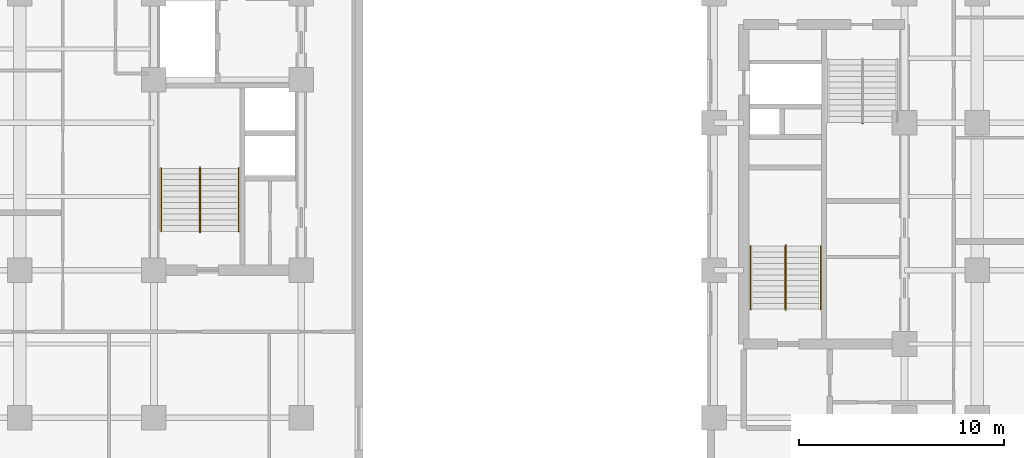
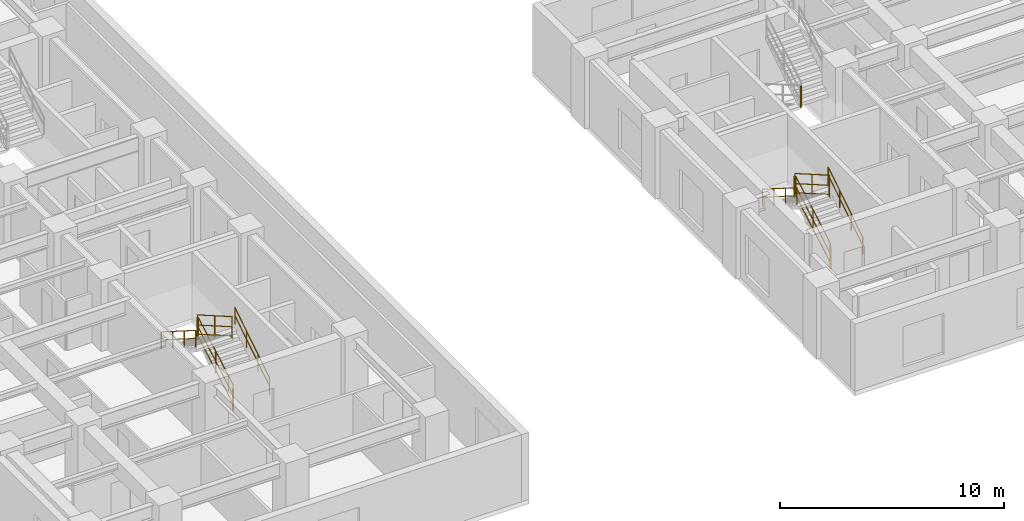
# One storey, part 7 of 9: 13 railings.
"""IFC4 building model written with IfcOpenShell, lengths in metres."""

from ifc_helpers import new_model, entity, si_unit, converted_unit, direction, frame, origin_with_axes, origin_2d_with_axis, place, context, subcontext, project, spatial, rectangle, circle, extrude, material, type_object, element, save


model = new_model("IFC4")

# Units and contexts
model_context = context("Model", 3, precision=1e-05, world=origin_with_axes(), true_north=direction((0.0, 1.0)))
body_context = subcontext(model_context, "Body", "Model", "MODEL_VIEW")
ifc_project = project(units=[si_unit("LENGTHUNIT", "METRE"), si_unit("AREAUNIT", "SQUARE_METRE"), si_unit("VOLUMEUNIT", "CUBIC_METRE"), converted_unit("PLANEANGLEUNIT", "DEGREE", entity("IfcPlaneAngleMeasure", 0.017453292519943295), si_unit("PLANEANGLEUNIT", "RADIAN"), dimensions=[0, 0, 0, 0, 0, 0, 0]), si_unit("MASSUNIT", "GRAM", prefix="KILO"), si_unit("THERMODYNAMICTEMPERATUREUNIT", "KELVIN")], contexts=[model_context])

# Site, building, storey
site_placement = place(None, origin_with_axes())
site = spatial("IfcSite", under=ifc_project, at=site_placement, CompositionType="ELEMENT")
building_placement = place(site_placement, origin_with_axes())
building = spatial("IfcBuilding", under=site, at=building_placement, Name="Varnlund Millrace Tower", CompositionType="ELEMENT")
storey_placement = place(building_placement, frame((0.0, 0.0, 93.0), z_axis=(0.0, 0.0, 1.0), x_axis=(1.0, 0.0, 0.0)))
storey = spatial("IfcBuildingStorey", under=building, at=storey_placement, Name="L22", CompositionType="ELEMENT", Elevation=93.0)

# Railings
ifc_material_1 = material(Name="Painted steel stair well balustrade guard", Category="steel")
railing_type_1 = type_object("IfcRailingType", Name="Type-StairGuard-1150", PredefinedType="GUARDRAIL", material=ifc_material_1)
railing_1_placement = place(storey_placement, frame((0.0, 0.0, -93.0), z_axis=(0.0, 0.0, 1.0), x_axis=(1.0, 0.0, 0.0)))
element("IfcRailing", 1, at=railing_1_placement, inside=storey, type_object=railing_type_1, Name="Type-StairGuard-1150", PredefinedType="GUARDRAIL", context=body_context, shape_type="SweptSolid", body=[
    extrude(circle(Radius=0.024, at=origin_2d_with_axis()), frame((13.675, 12.7, 94.327273), z_axis=(0.0, 0.866696, 0.498836), x_axis=(-1.0, 0.0, 0.0)), (0.0, 0.0, 1.0), 3.553725),
    extrude(circle(Radius=0.024, at=origin_2d_with_axis()), frame((13.675, 12.7, 93.277273), z_axis=(0.0, 0.866696, 0.498836), x_axis=(-1.0, 0.0, 0.0)), (0.0, 0.0, 1.0), 3.553725),
    extrude(circle(Radius=0.024, at=origin_2d_with_axis()), frame((13.675, 12.7, 93.775273), z_axis=(0.0, 0.866696, 0.498836), x_axis=(-1.0, 0.0, 0.0)), (0.0, 0.0, 1.0), 3.553725),
    extrude(rectangle(XDim=0.04, YDim=0.04, at=origin_2d_with_axis()), frame((13.675, 12.7, 93.137273), z_axis=(0.0, 0.0, 1.0), x_axis=(1.0, 0.0, 0.0)), (0.0, 0.0, 1.0), 1.19),
    extrude(rectangle(XDim=0.04, YDim=0.04, at=origin_2d_with_axis()), frame((13.675, 14.24, 94.023636), z_axis=(0.0, 0.0, 1.0), x_axis=(1.0, 0.0, 0.0)), (0.0, 0.0, 1.0), 1.19),
    extrude(rectangle(XDim=0.04, YDim=0.04, at=origin_2d_with_axis()), frame((13.675, 15.78, 94.91), z_axis=(0.0, 0.0, 1.0), x_axis=(1.0, 0.0, 0.0)), (0.0, 0.0, 1.0), 1.19),
])
railing_2_placement = place(storey_placement, frame((0.0, 0.0, -93.0), z_axis=(0.0, 0.0, 1.0), x_axis=(1.0, 0.0, 0.0)))
element("IfcRailing", 2, at=railing_2_placement, inside=storey, type_object=railing_type_1, Name="Type-StairGuard-1150", PredefinedType="GUARDRAIL", context=body_context, shape_type="SweptSolid", body=[
    extrude(circle(Radius=0.024, at=origin_2d_with_axis()), frame((13.625, 15.83, 96.1), z_axis=(1.0, 0.0, 0.0), x_axis=(0.0, 1.0, 0.0)), (0.0, 0.0, 1.0), 0.05),
    extrude(circle(Radius=0.024, at=origin_2d_with_axis()), frame((13.625, 15.83, 95.05), z_axis=(1.0, 0.0, 0.0), x_axis=(0.0, 1.0, 0.0)), (0.0, 0.0, 1.0), 0.05),
    extrude(circle(Radius=0.024, at=origin_2d_with_axis()), frame((13.625, 15.83, 95.548), z_axis=(1.0, 0.0, 0.0), x_axis=(0.0, 1.0, 0.0)), (0.0, 0.0, 1.0), 0.05),
    extrude(rectangle(XDim=0.04, YDim=0.04, at=origin_2d_with_axis()), frame((13.625, 15.83, 94.91), z_axis=(0.0, 0.0, 1.0), x_axis=(1.0, 0.0, 0.0)), (0.0, 0.0, 1.0), 1.19),
    extrude(rectangle(XDim=0.04, YDim=0.04, at=origin_2d_with_axis()), frame((13.675, 15.83, 94.91), z_axis=(0.0, 0.0, 1.0), x_axis=(1.0, 0.0, 0.0)), (0.0, 0.0, 1.0), 1.19),
])
railing_3_placement = place(storey_placement, frame((0.0, 0.0, -93.0), z_axis=(0.0, 0.0, 1.0), x_axis=(1.0, 0.0, 0.0)))
element("IfcRailing", 3, at=railing_3_placement, inside=storey, type_object=railing_type_1, Name="Type-StairGuard-1150", PredefinedType="GUARDRAIL", context=body_context, shape_type="SweptSolid", body=[
    extrude(circle(Radius=0.024, at=origin_2d_with_axis()), frame((13.625, 15.78, 96.277273), z_axis=(0.0, -0.866696, 0.498836), x_axis=(1.0, 0.0, 0.0)), (0.0, 0.0, 1.0), 3.553725),
    extrude(circle(Radius=0.024, at=origin_2d_with_axis()), frame((13.625, 15.78, 95.227273), z_axis=(0.0, -0.866696, 0.498836), x_axis=(1.0, 0.0, 0.0)), (0.0, 0.0, 1.0), 3.553725),
    extrude(circle(Radius=0.024, at=origin_2d_with_axis()), frame((13.625, 15.78, 95.725273), z_axis=(0.0, -0.866696, 0.498836), x_axis=(1.0, 0.0, 0.0)), (0.0, 0.0, 1.0), 3.553725),
    extrude(rectangle(XDim=0.04, YDim=0.04, at=origin_2d_with_axis()), frame((13.625, 15.78, 95.087273), z_axis=(0.0, 0.0, 1.0), x_axis=(1.0, 0.0, 0.0)), (0.0, 0.0, 1.0), 1.19),
    extrude(rectangle(XDim=0.04, YDim=0.04, at=origin_2d_with_axis()), frame((13.625, 14.24, 95.973636), z_axis=(0.0, 0.0, 1.0), x_axis=(1.0, 0.0, 0.0)), (0.0, 0.0, 1.0), 1.19),
    extrude(rectangle(XDim=0.04, YDim=0.04, at=origin_2d_with_axis()), frame((13.625, 12.7, 96.86), z_axis=(0.0, 0.0, 1.0), x_axis=(1.0, 0.0, 0.0)), (0.0, 0.0, 1.0), 1.19),
])
railing_4_placement = place(storey_placement, frame((0.0, 0.0, -93.0), z_axis=(0.0, 0.0, 1.0), x_axis=(1.0, 0.0, 0.0)))
element("IfcRailing", 4, at=railing_4_placement, inside=storey, type_object=railing_type_1, Name="Type-StairGuard-1150", PredefinedType="GUARDRAIL", context=body_context, shape_type="SweptSolid", body=[
    extrude(circle(Radius=0.024, at=origin_2d_with_axis()), frame((13.625, 12.65, 94.15), z_axis=(1.0, 0.0, 0.0), x_axis=(0.0, 1.0, 0.0)), (0.0, 0.0, 1.0), 0.05),
    extrude(circle(Radius=0.024, at=origin_2d_with_axis()), frame((13.625, 12.65, 93.1), z_axis=(1.0, 0.0, 0.0), x_axis=(0.0, 1.0, 0.0)), (0.0, 0.0, 1.0), 0.05),
    extrude(circle(Radius=0.024, at=origin_2d_with_axis()), frame((13.625, 12.65, 93.598), z_axis=(1.0, 0.0, 0.0), x_axis=(0.0, 1.0, 0.0)), (0.0, 0.0, 1.0), 0.05),
    extrude(rectangle(XDim=0.04, YDim=0.04, at=origin_2d_with_axis()), frame((13.625, 12.65, 92.96), z_axis=(0.0, 0.0, 1.0), x_axis=(1.0, 0.0, 0.0)), (0.0, 0.0, 1.0), 1.19),
    extrude(rectangle(XDim=0.04, YDim=0.04, at=origin_2d_with_axis()), frame((13.675, 12.65, 92.96), z_axis=(0.0, 0.0, 1.0), x_axis=(1.0, 0.0, 0.0)), (0.0, 0.0, 1.0), 1.19),
])
railing_5_placement = place(storey_placement, frame((0.0, 0.0, -93.0), z_axis=(0.0, 0.0, 1.0), x_axis=(1.0, 0.0, 0.0)))
element("IfcRailing", 5, at=railing_5_placement, inside=storey, type_object=railing_type_1, Name="Type-StairGuard-1150", PredefinedType="GUARDRAIL", context=body_context, shape_type="SweptSolid", body=[
    extrude(circle(Radius=0.024, at=origin_2d_with_axis()), frame((42.275, 8.9, 94.327273), z_axis=(0.0, 0.866696, 0.498836), x_axis=(-1.0, 0.0, 0.0)), (0.0, 0.0, 1.0), 3.553725),
    extrude(circle(Radius=0.024, at=origin_2d_with_axis()), frame((42.275, 8.9, 93.277273), z_axis=(0.0, 0.866696, 0.498836), x_axis=(-1.0, 0.0, 0.0)), (0.0, 0.0, 1.0), 3.553725),
    extrude(circle(Radius=0.024, at=origin_2d_with_axis()), frame((42.275, 8.9, 93.775273), z_axis=(0.0, 0.866696, 0.498836), x_axis=(-1.0, 0.0, 0.0)), (0.0, 0.0, 1.0), 3.553725),
    extrude(rectangle(XDim=0.04, YDim=0.04, at=origin_2d_with_axis()), frame((42.275, 8.9, 93.137273), z_axis=(0.0, 0.0, 1.0), x_axis=(1.0, 0.0, 0.0)), (0.0, 0.0, 1.0), 1.19),
    extrude(rectangle(XDim=0.04, YDim=0.04, at=origin_2d_with_axis()), frame((42.275, 10.44, 94.023636), z_axis=(0.0, 0.0, 1.0), x_axis=(1.0, 0.0, 0.0)), (0.0, 0.0, 1.0), 1.19),
    extrude(rectangle(XDim=0.04, YDim=0.04, at=origin_2d_with_axis()), frame((42.275, 11.98, 94.91), z_axis=(0.0, 0.0, 1.0), x_axis=(1.0, 0.0, 0.0)), (0.0, 0.0, 1.0), 1.19),
])
railing_6_placement = place(storey_placement, frame((0.0, 0.0, -93.0), z_axis=(0.0, 0.0, 1.0), x_axis=(1.0, 0.0, 0.0)))
element("IfcRailing", 6, at=railing_6_placement, inside=storey, type_object=railing_type_1, Name="Type-StairGuard-1150", PredefinedType="GUARDRAIL", context=body_context, shape_type="SweptSolid", body=[
    extrude(circle(Radius=0.024, at=origin_2d_with_axis()), frame((42.225, 12.03, 96.1), z_axis=(1.0, 0.0, 0.0), x_axis=(0.0, 1.0, 0.0)), (0.0, 0.0, 1.0), 0.05),
    extrude(circle(Radius=0.024, at=origin_2d_with_axis()), frame((42.225, 12.03, 95.05), z_axis=(1.0, 0.0, 0.0), x_axis=(0.0, 1.0, 0.0)), (0.0, 0.0, 1.0), 0.05),
    extrude(circle(Radius=0.024, at=origin_2d_with_axis()), frame((42.225, 12.03, 95.548), z_axis=(1.0, 0.0, 0.0), x_axis=(0.0, 1.0, 0.0)), (0.0, 0.0, 1.0), 0.05),
    extrude(rectangle(XDim=0.04, YDim=0.04, at=origin_2d_with_axis()), frame((42.225, 12.03, 94.91), z_axis=(0.0, 0.0, 1.0), x_axis=(1.0, 0.0, 0.0)), (0.0, 0.0, 1.0), 1.19),
    extrude(rectangle(XDim=0.04, YDim=0.04, at=origin_2d_with_axis()), frame((42.275, 12.03, 94.91), z_axis=(0.0, 0.0, 1.0), x_axis=(1.0, 0.0, 0.0)), (0.0, 0.0, 1.0), 1.19),
])
railing_7_placement = place(storey_placement, frame((0.0, 0.0, -93.0), z_axis=(0.0, 0.0, 1.0), x_axis=(1.0, 0.0, 0.0)))
element("IfcRailing", 7, at=railing_7_placement, inside=storey, type_object=railing_type_1, Name="Type-StairGuard-1150", PredefinedType="GUARDRAIL", context=body_context, shape_type="SweptSolid", body=[
    extrude(circle(Radius=0.024, at=origin_2d_with_axis()), frame((42.225, 11.98, 96.277273), z_axis=(0.0, -0.866696, 0.498836), x_axis=(1.0, 0.0, 0.0)), (0.0, 0.0, 1.0), 3.553725),
    extrude(circle(Radius=0.024, at=origin_2d_with_axis()), frame((42.225, 11.98, 95.227273), z_axis=(0.0, -0.866696, 0.498836), x_axis=(1.0, 0.0, 0.0)), (0.0, 0.0, 1.0), 3.553725),
    extrude(circle(Radius=0.024, at=origin_2d_with_axis()), frame((42.225, 11.98, 95.725273), z_axis=(0.0, -0.866696, 0.498836), x_axis=(1.0, 0.0, 0.0)), (0.0, 0.0, 1.0), 3.553725),
    extrude(rectangle(XDim=0.04, YDim=0.04, at=origin_2d_with_axis()), frame((42.225, 11.98, 95.087273), z_axis=(0.0, 0.0, 1.0), x_axis=(1.0, 0.0, 0.0)), (0.0, 0.0, 1.0), 1.19),
    extrude(rectangle(XDim=0.04, YDim=0.04, at=origin_2d_with_axis()), frame((42.225, 10.44, 95.973636), z_axis=(0.0, 0.0, 1.0), x_axis=(1.0, 0.0, 0.0)), (0.0, 0.0, 1.0), 1.19),
    extrude(rectangle(XDim=0.04, YDim=0.04, at=origin_2d_with_axis()), frame((42.225, 8.9, 96.86), z_axis=(0.0, 0.0, 1.0), x_axis=(1.0, 0.0, 0.0)), (0.0, 0.0, 1.0), 1.19),
])
railing_8_placement = place(storey_placement, frame((0.0, 0.0, -93.0), z_axis=(0.0, 0.0, 1.0), x_axis=(1.0, 0.0, 0.0)))
element("IfcRailing", 8, at=railing_8_placement, inside=storey, type_object=railing_type_1, Name="Type-StairGuard-1150", PredefinedType="GUARDRAIL", context=body_context, shape_type="SweptSolid", body=[
    extrude(circle(Radius=0.024, at=origin_2d_with_axis()), frame((42.225, 8.85, 94.15), z_axis=(1.0, 0.0, 0.0), x_axis=(0.0, 1.0, 0.0)), (0.0, 0.0, 1.0), 0.05),
    extrude(circle(Radius=0.024, at=origin_2d_with_axis()), frame((42.225, 8.85, 93.1), z_axis=(1.0, 0.0, 0.0), x_axis=(0.0, 1.0, 0.0)), (0.0, 0.0, 1.0), 0.05),
    extrude(circle(Radius=0.024, at=origin_2d_with_axis()), frame((42.225, 8.85, 93.598), z_axis=(1.0, 0.0, 0.0), x_axis=(0.0, 1.0, 0.0)), (0.0, 0.0, 1.0), 0.05),
    extrude(rectangle(XDim=0.04, YDim=0.04, at=origin_2d_with_axis()), frame((42.225, 8.85, 92.96), z_axis=(0.0, 0.0, 1.0), x_axis=(1.0, 0.0, 0.0)), (0.0, 0.0, 1.0), 1.19),
    extrude(rectangle(XDim=0.04, YDim=0.04, at=origin_2d_with_axis()), frame((42.275, 8.85, 92.96), z_axis=(0.0, 0.0, 1.0), x_axis=(1.0, 0.0, 0.0)), (0.0, 0.0, 1.0), 1.19),
])
railing_9_placement = place(storey_placement, frame((0.0, 0.0, -93.0), z_axis=(0.0, 0.0, 1.0), x_axis=(1.0, 0.0, 0.0)))
element("IfcRailing", 9, at=railing_9_placement, inside=storey, type_object=railing_type_1, Name="Type-StairGuard-1150", PredefinedType="GUARDRAIL", context=body_context, shape_type="SweptSolid", body=[
    extrude(circle(Radius=0.024, at=origin_2d_with_axis()), frame((46.025, 17.97, 96.1), z_axis=(-1.0, 0.0, 0.0), x_axis=(0.0, -1.0, 0.0)), (0.0, 0.0, 1.0), 0.05),
    extrude(circle(Radius=0.024, at=origin_2d_with_axis()), frame((46.025, 17.97, 95.05), z_axis=(-1.0, 0.0, 0.0), x_axis=(0.0, -1.0, 0.0)), (0.0, 0.0, 1.0), 0.05),
    extrude(circle(Radius=0.024, at=origin_2d_with_axis()), frame((46.025, 17.97, 95.548), z_axis=(-1.0, 0.0, 0.0), x_axis=(0.0, -1.0, 0.0)), (0.0, 0.0, 1.0), 0.05),
    extrude(rectangle(XDim=0.04, YDim=0.04, at=origin_2d_with_axis()), frame((46.025, 17.97, 94.91), z_axis=(0.0, 0.0, 1.0), x_axis=(1.0, 0.0, 0.0)), (0.0, 0.0, 1.0), 1.19),
    extrude(rectangle(XDim=0.04, YDim=0.04, at=origin_2d_with_axis()), frame((45.975, 17.97, 94.91), z_axis=(0.0, 0.0, 1.0), x_axis=(1.0, 0.0, 0.0)), (0.0, 0.0, 1.0), 1.19),
])
ifc_material_2 = material(Name="Brushed architectural bronze stair handrail", Category="aluminium")
railing_type_2 = type_object("IfcRailingType", Name="Type-StairHandrail-900", PredefinedType="HANDRAIL", material=ifc_material_2)
railing_10_placement = place(storey_placement, frame((0.0, 0.0, -93.0), z_axis=(0.0, 0.0, 1.0), x_axis=(1.0, 0.0, 0.0)))
element("IfcRailing", 10, at=railing_10_placement, inside=storey, type_object=railing_type_2, Name="Type-StairHandrail-900", PredefinedType="HANDRAIL", context=body_context, shape_type="SweptSolid", body=[
    extrude(circle(Radius=0.024, at=origin_2d_with_axis()), frame((15.55, 12.7, 94.056995), z_axis=(0.0, 0.844902, 0.534922), x_axis=(-1.0, 0.0, 0.0)), (0.0, 0.0, 1.0), 3.645394),
    extrude(circle(Radius=0.024, at=origin_2d_with_axis()), frame((15.55, 12.7, 93.617134), z_axis=(0.0, 0.844902, 0.534922), x_axis=(-1.0, 0.0, 0.0)), (0.0, 0.0, 1.0), 3.645394),
    extrude(rectangle(XDim=0.04, YDim=0.04, at=origin_2d_with_axis()), frame((15.55, 12.7, 93.137273), z_axis=(0.0, 0.0, 1.0), x_axis=(1.0, 0.0, 0.0)), (0.0, 0.0, 1.0), 0.919722),
    extrude(rectangle(XDim=0.04, YDim=0.04, at=origin_2d_with_axis()), frame((15.55, 13.726667, 93.787273), z_axis=(0.0, 0.0, 1.0), x_axis=(1.0, 0.0, 0.0)), (0.0, 0.0, 1.0), 0.919722),
    extrude(rectangle(XDim=0.04, YDim=0.04, at=origin_2d_with_axis()), frame((15.55, 14.753333, 94.437273), z_axis=(0.0, 0.0, 1.0), x_axis=(1.0, 0.0, 0.0)), (0.0, 0.0, 1.0), 0.919722),
    extrude(rectangle(XDim=0.04, YDim=0.04, at=origin_2d_with_axis()), frame((15.55, 15.78, 95.087273), z_axis=(0.0, 0.0, 1.0), x_axis=(1.0, 0.0, 0.0)), (0.0, 0.0, 1.0), 0.919722),
])
railing_11_placement = place(storey_placement, frame((0.0, 0.0, -93.0), z_axis=(0.0, 0.0, 1.0), x_axis=(1.0, 0.0, 0.0)))
element("IfcRailing", 11, at=railing_11_placement, inside=storey, type_object=railing_type_2, Name="Type-StairHandrail-900", PredefinedType="HANDRAIL", context=body_context, shape_type="SweptSolid", body=[
    extrude(circle(Radius=0.024, at=origin_2d_with_axis()), frame((11.75, 15.78, 96.006995), z_axis=(0.0, -0.844902, 0.534922), x_axis=(1.0, 0.0, 0.0)), (0.0, 0.0, 1.0), 3.645394),
    extrude(circle(Radius=0.024, at=origin_2d_with_axis()), frame((11.75, 15.78, 95.567134), z_axis=(0.0, -0.844902, 0.534922), x_axis=(1.0, 0.0, 0.0)), (0.0, 0.0, 1.0), 3.645394),
    extrude(rectangle(XDim=0.04, YDim=0.04, at=origin_2d_with_axis()), frame((11.75, 15.78, 95.087273), z_axis=(0.0, 0.0, 1.0), x_axis=(1.0, 0.0, 0.0)), (0.0, 0.0, 1.0), 0.919722),
    extrude(rectangle(XDim=0.04, YDim=0.04, at=origin_2d_with_axis()), frame((11.75, 14.753333, 95.737273), z_axis=(0.0, 0.0, 1.0), x_axis=(1.0, 0.0, 0.0)), (0.0, 0.0, 1.0), 0.919722),
    extrude(rectangle(XDim=0.04, YDim=0.04, at=origin_2d_with_axis()), frame((11.75, 13.726667, 96.387273), z_axis=(0.0, 0.0, 1.0), x_axis=(1.0, 0.0, 0.0)), (0.0, 0.0, 1.0), 0.919722),
    extrude(rectangle(XDim=0.04, YDim=0.04, at=origin_2d_with_axis()), frame((11.75, 12.7, 97.037273), z_axis=(0.0, 0.0, 1.0), x_axis=(1.0, 0.0, 0.0)), (0.0, 0.0, 1.0), 0.919722),
])
railing_12_placement = place(storey_placement, frame((0.0, 0.0, -93.0), z_axis=(0.0, 0.0, 1.0), x_axis=(1.0, 0.0, 0.0)))
element("IfcRailing", 12, at=railing_12_placement, inside=storey, type_object=railing_type_2, Name="Type-StairHandrail-900", PredefinedType="HANDRAIL", context=body_context, shape_type="SweptSolid", body=[
    extrude(circle(Radius=0.024, at=origin_2d_with_axis()), frame((43.95, 8.9, 94.056995), z_axis=(0.0, 0.844902, 0.534922), x_axis=(-1.0, 0.0, 0.0)), (0.0, 0.0, 1.0), 3.645394),
    extrude(circle(Radius=0.024, at=origin_2d_with_axis()), frame((43.95, 8.9, 93.617134), z_axis=(0.0, 0.844902, 0.534922), x_axis=(-1.0, 0.0, 0.0)), (0.0, 0.0, 1.0), 3.645394),
    extrude(rectangle(XDim=0.04, YDim=0.04, at=origin_2d_with_axis()), frame((43.95, 8.9, 93.137273), z_axis=(0.0, 0.0, 1.0), x_axis=(1.0, 0.0, 0.0)), (0.0, 0.0, 1.0), 0.919722),
    extrude(rectangle(XDim=0.04, YDim=0.04, at=origin_2d_with_axis()), frame((43.95, 9.926667, 93.787273), z_axis=(0.0, 0.0, 1.0), x_axis=(1.0, 0.0, 0.0)), (0.0, 0.0, 1.0), 0.919722),
    extrude(rectangle(XDim=0.04, YDim=0.04, at=origin_2d_with_axis()), frame((43.95, 10.953333, 94.437273), z_axis=(0.0, 0.0, 1.0), x_axis=(1.0, 0.0, 0.0)), (0.0, 0.0, 1.0), 0.919722),
    extrude(rectangle(XDim=0.04, YDim=0.04, at=origin_2d_with_axis()), frame((43.95, 11.98, 95.087273), z_axis=(0.0, 0.0, 1.0), x_axis=(1.0, 0.0, 0.0)), (0.0, 0.0, 1.0), 0.919722),
])
railing_13_placement = place(storey_placement, frame((0.0, 0.0, -93.0), z_axis=(0.0, 0.0, 1.0), x_axis=(1.0, 0.0, 0.0)))
element("IfcRailing", 13, at=railing_13_placement, inside=storey, type_object=railing_type_2, Name="Type-StairHandrail-900", PredefinedType="HANDRAIL", context=body_context, shape_type="SweptSolid", body=[
    extrude(circle(Radius=0.024, at=origin_2d_with_axis()), frame((40.55, 11.98, 96.006995), z_axis=(0.0, -0.844902, 0.534922), x_axis=(1.0, 0.0, 0.0)), (0.0, 0.0, 1.0), 3.645394),
    extrude(circle(Radius=0.024, at=origin_2d_with_axis()), frame((40.55, 11.98, 95.567134), z_axis=(0.0, -0.844902, 0.534922), x_axis=(1.0, 0.0, 0.0)), (0.0, 0.0, 1.0), 3.645394),
    extrude(rectangle(XDim=0.04, YDim=0.04, at=origin_2d_with_axis()), frame((40.55, 11.98, 95.087273), z_axis=(0.0, 0.0, 1.0), x_axis=(1.0, 0.0, 0.0)), (0.0, 0.0, 1.0), 0.919722),
    extrude(rectangle(XDim=0.04, YDim=0.04, at=origin_2d_with_axis()), frame((40.55, 10.953333, 95.737273), z_axis=(0.0, 0.0, 1.0), x_axis=(1.0, 0.0, 0.0)), (0.0, 0.0, 1.0), 0.919722),
    extrude(rectangle(XDim=0.04, YDim=0.04, at=origin_2d_with_axis()), frame((40.55, 9.926667, 96.387273), z_axis=(0.0, 0.0, 1.0), x_axis=(1.0, 0.0, 0.0)), (0.0, 0.0, 1.0), 0.919722),
    extrude(rectangle(XDim=0.04, YDim=0.04, at=origin_2d_with_axis()), frame((40.55, 8.9, 97.037273), z_axis=(0.0, 0.0, 1.0), x_axis=(1.0, 0.0, 0.0)), (0.0, 0.0, 1.0), 0.919722),
])

save(model, "model.ifc")
